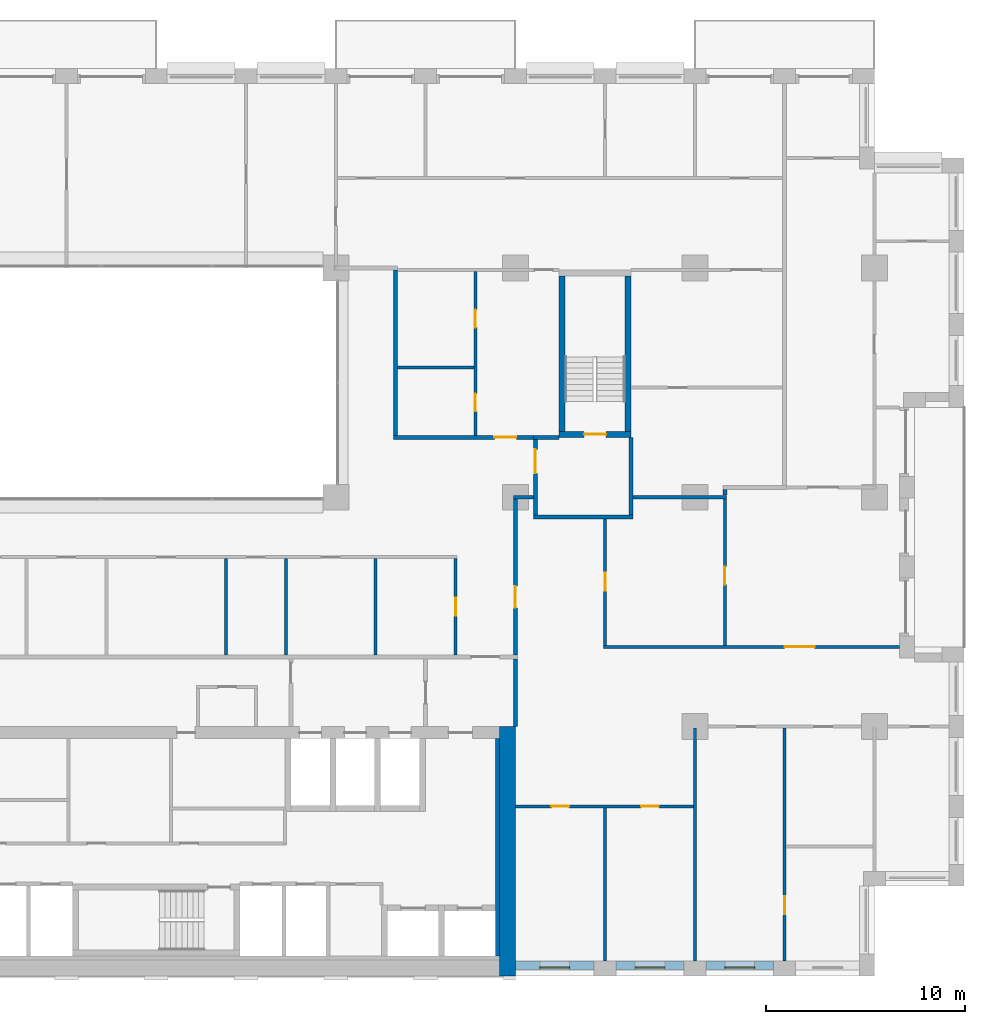
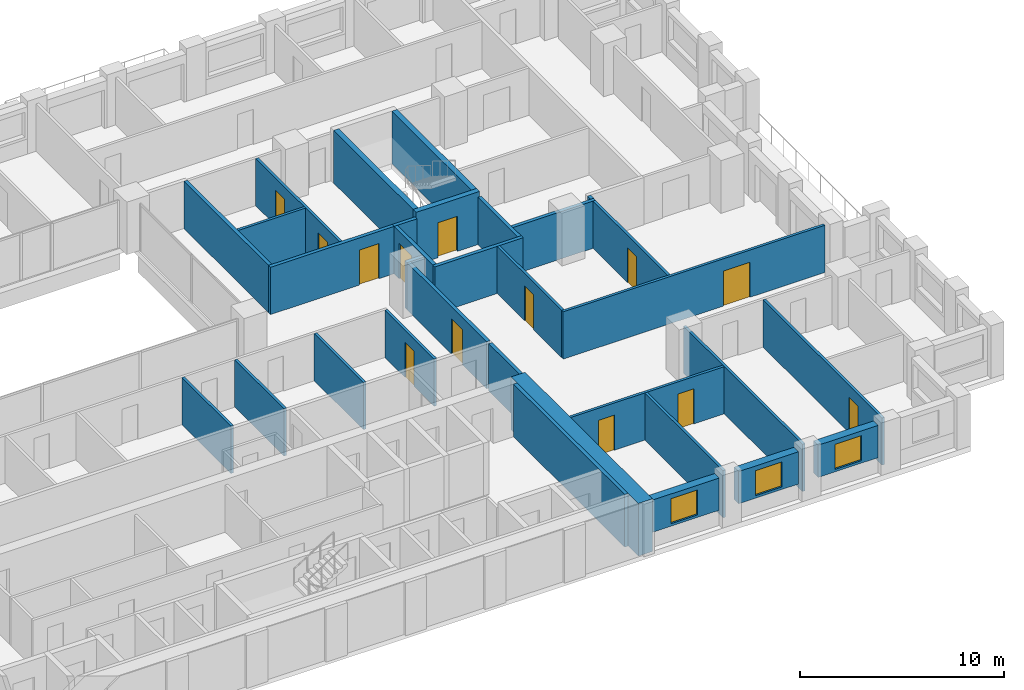
# One storey, part 11 of 16: 32 walls, 13 doors, 3 windows, 16 openings.
"""IFC4 building model written with IfcOpenShell, lengths in metres."""

from ifc_helpers import new_model, si_unit, direction, frame, frame_2d, origin, place, context, subcontext, project, spatial, rectangle, extrude, material, layer, layer_set, type_object, element, fill, save


model = new_model("IFC4")

# Units and contexts
model_context = context("Model", 3, precision=1e-05, world=origin(), true_north=direction((0.0, 1.0)))
body_context = subcontext(model_context, "Body", "Model", "MODEL_VIEW")
ifc_project = project(units=[si_unit("LENGTHUNIT", "METRE"), si_unit("AREAUNIT", "SQUARE_METRE"), si_unit("VOLUMEUNIT", "CUBIC_METRE"), si_unit("PLANEANGLEUNIT", "RADIAN"), si_unit("MASSUNIT", "GRAM", prefix="KILO")], contexts=[model_context])

# Site, building, storey
site_placement = place(None, origin())
site = spatial("IfcSite", under=ifc_project, at=site_placement, CompositionType="ELEMENT")
building_placement = place(site_placement, origin())
building = spatial("IfcBuilding", under=site, at=building_placement, Name="Brigalow Station Residences", CompositionType="ELEMENT")
storey_placement = place(building_placement, frame((0.0, 0.0, 93.0)))
storey = spatial("IfcBuildingStorey", under=building, at=storey_placement, Name="L26", CompositionType="ELEMENT", Elevation=93.0)

# Wall, opening, window
ifc_material_1 = material(Name="Clay brick masonry", Category="masonry")
ifc_layer_1 = layer(ifc_material_1, 0.449951171875)
ifc_layer_set_1 = layer_set([ifc_layer_1], Name="BRICK INFILL WALL 450")
wall_type_1 = type_object("IfcWallType", Name="BRICK INFILL WALL 450", PredefinedType="SOLIDWALL", material=ifc_layer_set_1)
wall_1_placement = place(storey_placement, frame((54.0, 0.52490234375, 0.89990234375), z_axis=(0.0, 0.0, 1.0), x_axis=(1.0, 0.0, 0.0)))
wall_1 = element("IfcWall", 1, at=wall_1_placement, inside=storey, type_object=wall_type_1, Name="L26/ewall/W-L26-4", PredefinedType="SOLIDWALL", context=body_context, shape_type="SweptSolid", body=[
    extrude(rectangle(XDim=3.949951171875, YDim=0.449951171875, at=frame_2d((1.97509765625, 0.0))), origin(), (0.0, 0.0, 1.0), 1.93017578125),
])
opening_1_placement = place(wall_1_placement, frame((1.22509765625, 0.0, 0.14990234375)))
opening_1 = element("IfcOpeningElement", 2, at=opening_1_placement, cuts=wall_1, Name="Opening WT-1", PredefinedType="OPENING", context=body_context, shape_type="SweptSolid", body=[
    extrude(rectangle(XDim=1.5, YDim=1.5, at=frame_2d((0.75, 0.75))), frame((0.0, 0.23486328125, 0.0), z_axis=(0.0, -1.0, 0.0), x_axis=(1.0, 0.0, 0.0)), (0.0, 0.0, 1.0), 0.469970703125),
])
ifc_material_2 = material(Name="Anodised aluminium frame with double glazing", Category="aluminium")
window_type = type_object("IfcWindowType", Name="WINDOW 1500x1500", PartitioningType="SINGLE_PANEL", PredefinedType="WINDOW", material=ifc_material_2)
window_1_placement = place(opening_1_placement, origin())
window_1 = element("IfcWindow", 3, at=window_1_placement, inside=storey, type_object=window_type, Name="L26/window/W-L26-4", OverallHeight=1.5, OverallWidth=1.5, PartitioningType="SINGLE_PANEL", PredefinedType="WINDOW", context=body_context, shape_type="SweptSolid", body=[
    extrude(rectangle(XDim=1.5, YDim=1.5, at=frame_2d((0.75, 0.75))), frame((0.0, -0.06494140625, 0.0), z_axis=(0.0, -1.0, 0.0), x_axis=(1.0, 0.0, 0.0)), (0.0, 0.0, 1.0), 0.06005859375),
])
fill(opening_1, window_1)

wall_2_placement = place(storey_placement, frame((59.050048828125, 0.52490234375, 0.89990234375), z_axis=(0.0, 0.0, 1.0), x_axis=(1.0, 0.0, 0.0)))
wall_2 = element("IfcWall", 4, at=wall_2_placement, inside=storey, type_object=wall_type_1, Name="L26/ewall/W-L26-5", PredefinedType="SOLIDWALL", context=body_context, shape_type="SweptSolid", body=[
    extrude(rectangle(XDim=3.39990234375, YDim=0.449951171875, at=frame_2d((1.699951171875, 0.0))), origin(), (0.0, 0.0, 1.0), 1.93017578125),
])
opening_2_placement = place(wall_2_placement, frame((0.949951171875, 0.0, 0.14990234375)))
opening_2 = element("IfcOpeningElement", 5, at=opening_2_placement, cuts=wall_2, Name="Opening WT-1", PredefinedType="OPENING", context=body_context, shape_type="SweptSolid", body=[
    extrude(rectangle(XDim=1.5, YDim=1.5, at=frame_2d((0.75, 0.75))), frame((0.0, 0.23486328125, 0.0), z_axis=(0.0, -1.0, 0.0), x_axis=(1.0, 0.0, 0.0)), (0.0, 0.0, 1.0), 0.469970703125),
])
window_2_placement = place(opening_2_placement, origin())
window_2 = element("IfcWindow", 6, at=window_2_placement, inside=storey, type_object=window_type, Name="L26/window/W-L26-5", OverallHeight=1.5, OverallWidth=1.5, PartitioningType="SINGLE_PANEL", PredefinedType="WINDOW", context=body_context, shape_type="SweptSolid", body=[
    extrude(rectangle(XDim=1.5, YDim=1.5, at=frame_2d((0.75, 0.75))), frame((0.0, -0.06494140625, 0.0), z_axis=(0.0, -1.0, 0.0), x_axis=(1.0, 0.0, 0.0)), (0.0, 0.0, 1.0), 0.06005859375),
])
fill(opening_2, window_2)

wall_3_placement = place(storey_placement, frame((63.550048828125, 0.52490234375, 0.89990234375), z_axis=(0.0, 0.0, 1.0), x_axis=(1.0, 0.0, 0.0)))
wall_3 = element("IfcWall", 7, at=wall_3_placement, inside=storey, type_object=wall_type_1, Name="L26/ewall/W-L26-6", PredefinedType="SOLIDWALL", context=body_context, shape_type="SweptSolid", body=[
    extrude(rectangle(XDim=3.39990234375, YDim=0.449951171875, at=frame_2d((1.699951171875, 0.0))), origin(), (0.0, 0.0, 1.0), 1.93017578125),
])
opening_3_placement = place(wall_3_placement, frame((0.949951171875, 0.0, 0.14990234375)))
opening_3 = element("IfcOpeningElement", 8, at=opening_3_placement, cuts=wall_3, Name="Opening WT-1", PredefinedType="OPENING", context=body_context, shape_type="SweptSolid", body=[
    extrude(rectangle(XDim=1.5, YDim=1.5, at=frame_2d((0.75, 0.75))), frame((0.0, 0.23486328125, 0.0), z_axis=(0.0, -1.0, 0.0), x_axis=(1.0, 0.0, 0.0)), (0.0, 0.0, 1.0), 0.469970703125),
])
window_3_placement = place(opening_3_placement, origin())
window_3 = element("IfcWindow", 9, at=window_3_placement, inside=storey, type_object=window_type, Name="L26/window/W-L26-6", OverallHeight=1.5, OverallWidth=1.5, PartitioningType="SINGLE_PANEL", PredefinedType="WINDOW", context=body_context, shape_type="SweptSolid", body=[
    extrude(rectangle(XDim=1.5, YDim=1.5, at=frame_2d((0.75, 0.75))), frame((0.0, -0.06494140625, 0.0), z_axis=(0.0, -1.0, 0.0), x_axis=(1.0, 0.0, 0.0)), (0.0, 0.0, 1.0), 0.06005859375),
])
fill(opening_3, window_3)

# Wall
ifc_material_3 = material(Name="Concrete C65", Category="concrete")
ifc_layer_2 = layer(ifc_material_3, 0.199951171875)
ifc_layer_set_2 = layer_set([ifc_layer_2], Name="CORE SHEAR WALL 200 C65")
wall_type_2 = type_object("IfcWallType", Name="CORE SHEAR WALL 200 C65", PredefinedType="SHEAR", material=ifc_layer_set_2)
wall_4_placement = place(storey_placement, frame((53.10009765625, 1.0, 0.0), z_axis=(0.0, 0.0, 1.0), x_axis=(0.0, 1.0, 0.0)))
element("IfcWall", 10, at=wall_4_placement, inside=storey, type_object=wall_type_2, Name="CORE WALL LIN-E L26", PredefinedType="SHEAR", context=body_context, shape_type="SweptSolid", body=[
    extrude(rectangle(XDim=10.89990234375, YDim=0.199951171875, at=frame_2d((5.449951171875, 0.0))), origin(), (0.0, 0.0, 1.0), 3.14990234375),
])

# Wall, opening, door
ifc_material_4 = material(Name="Concrete C65", Category="concrete")
ifc_layer_3 = layer(ifc_material_4, 0.300048828125)
ifc_layer_set_3 = layer_set([ifc_layer_3], Name="CORE SHEAR WALL 300 C65")
wall_type_3 = type_object("IfcWallType", Name="CORE SHEAR WALL 300 C65", PredefinedType="SHEAR", material=ifc_layer_set_3)
wall_5_placement = place(storey_placement, frame((56.199951171875, 27.14990234375, 0.0), z_axis=(0.0, 0.0, 1.0), x_axis=(1.0, 0.0, 0.0)))
wall_5 = element("IfcWall", 11, at=wall_5_placement, inside=storey, type_object=wall_type_3, Name="CORE WALL ST-S3-S L26", PredefinedType="SHEAR", context=body_context, shape_type="SweptSolid", body=[
    extrude(rectangle(XDim=3.60009765625, YDim=0.300048828125, at=frame_2d((1.800048828125, 0.0))), origin(), (0.0, 0.0, 1.0), 3.14990234375),
])
opening_4_placement = place(wall_5_placement, frame((1.25, 0.0, 0.0)))
opening_4 = element("IfcOpeningElement", 12, at=opening_4_placement, cuts=wall_5, Name="Opening D-5018", PredefinedType="OPENING", context=body_context, shape_type="SweptSolid", body=[
    extrude(rectangle(XDim=1.10009765625, YDim=2.10009765625, at=frame_2d((0.550048828125, 1.050048828125))), frame((0.0, 0.16015625, 0.0), z_axis=(0.0, -1.0, 0.0), x_axis=(1.0, 0.0, 0.0)), (0.0, 0.0, 1.0), 0.320068359375),
])
ifc_material_5 = material(Name="Steel fire door leaf in steel frame", Category="steel")
door_type_1 = type_object("IfcDoorType", Name="STAIR DOOR 1100 x 2100 FD60S", OperationType="SINGLE_SWING_LEFT", PredefinedType="DOOR", material=ifc_material_5)
door_1_placement = place(opening_4_placement, origin())
door_1 = element("IfcDoor", 13, at=door_1_placement, inside=storey, type_object=door_type_1, Name="D-5018", OperationType="SINGLE_SWING_LEFT", OverallHeight=2.10009765625, OverallWidth=1.10009765625, PredefinedType="DOOR", context=body_context, shape_type="SweptSolid", body=[
    extrude(rectangle(XDim=1.10009765625, YDim=2.10009765625, at=frame_2d((0.550048828125, 1.050048828125))), frame((0.0, 0.02490234375, 0.0), z_axis=(0.0, -1.0, 0.0), x_axis=(1.0, 0.0, 0.0)), (0.0, 0.0, 1.0), 0.050048828125),
])
fill(opening_4, door_1)

# Walls
for number, where, z_axis, x_axis, name in (
    (14, (56.35009765625, 27.300048828125, 0.0), (0.0, 0.0, 1.0), (0.0, 1.0, 0.0), "CORE WALL ST-S3-W L26"),
    (15, (59.64990234375, 27.300048828125, 0.0), (0.0, 0.0, 1.0), (0.0, 1.0, 0.0), "CORE WALL ST-S3-E L26"),
):
    element("IfcWall", number, at=place(storey_placement, frame(where, z_axis=z_axis, x_axis=x_axis)), inside=storey, type_object=wall_type_3, Name=name, PredefinedType="SHEAR", context=body_context, shape_type="SweptSolid", body=[
        extrude(rectangle(XDim=7.800048828125, YDim=0.300048828125, at=frame_2d((3.89990234375, 0.0))), origin(), (0.0, 0.0, 1.0), 3.14990234375),
    ])
ifc_material_6 = material(Name="Concrete C65", Category="concrete")
ifc_layer_4 = layer(ifc_material_6, 0.800048828125)
ifc_layer_set_4 = layer_set([ifc_layer_4], Name="CORE SHEAR WALL 800 C65")
wall_type_4 = type_object("IfcWallType", Name="CORE SHEAR WALL 800 C65", PredefinedType="SHEAR", material=ifc_layer_set_4)
wall_6_placement = place(storey_placement, frame((53.60009765625, 0.0, 0.0), z_axis=(0.0, 0.0, 1.0), x_axis=(0.0, 1.0, 0.0)))
element("IfcWall", 16, at=wall_6_placement, inside=storey, type_object=wall_type_4, Name="CORE WALL OUT-E L26", PredefinedType="SHEAR", context=body_context, shape_type="SweptSolid", body=[
    extrude(rectangle(XDim=12.5, YDim=0.800048828125, at=frame_2d((6.25, 0.0))), origin(), (0.0, 0.0, 1.0), 3.14990234375),
])
ifc_material_7 = material(Name="Concrete blockwork", Category="masonry")
ifc_layer_5 = layer(ifc_material_7, 0.199951171875)
ifc_layer_set_5 = layer_set([ifc_layer_5], Name="FIRE RATED CORE PARTITION 200")
wall_type_5 = type_object("IfcWallType", Name="FIRE RATED CORE PARTITION 200", PredefinedType="PARTITIONING", material=ifc_layer_set_5)
wall_7_placement = place(storey_placement, frame((54.89990234375, 23.0, 0.0), z_axis=(0.0, 0.0, 1.0), x_axis=(1.0, 0.0, 0.0)))
element("IfcWall", 17, at=wall_7_placement, inside=storey, type_object=wall_type_5, Name="PW-5024", PredefinedType="PARTITIONING", context=body_context, shape_type="SweptSolid", body=[
    extrude(rectangle(XDim=5.0, YDim=0.199951171875, at=frame_2d((2.5, 0.0))), origin(), (0.0, 0.0, 1.0), 2.830078125),
])
wall_8_placement = place(storey_placement, frame((54.89990234375, 27.0, 0.0), z_axis=(0.0, 0.0, 1.0), x_axis=(1.0, 0.0, 0.0)))
element("IfcWall", 18, at=wall_8_placement, inside=storey, type_object=wall_type_5, Name="PW-5026", PredefinedType="PARTITIONING", context=body_context, shape_type="SweptSolid", body=[
    extrude(rectangle(XDim=1.300048828125, YDim=0.199951171875, at=frame_2d((0.64990234375, 0.0))), origin(), (0.0, 0.0, 1.0), 2.830078125),
])
wall_9_placement = place(storey_placement, frame((54.0, 12.5, 0.0), z_axis=(0.0, 0.0, 1.0), x_axis=(0.0, 1.0, 0.0)))
element("IfcWall", 19, at=wall_9_placement, inside=storey, type_object=wall_type_5, Name="PW-5016", PredefinedType="PARTITIONING", context=body_context, shape_type="SweptSolid", body=[
    extrude(rectangle(XDim=3.39990234375, YDim=0.199951171875, at=frame_2d((1.699951171875, 0.0))), origin(), (0.0, 0.0, 1.0), 2.830078125),
])

# Wall, opening, door
wall_10_placement = place(storey_placement, frame((55.0, 23.10009765625, 0.0), z_axis=(0.0, 0.0, 1.0), x_axis=(0.0, 1.0, 0.0)))
wall_10 = element("IfcWall", 20, at=wall_10_placement, inside=storey, type_object=wall_type_5, Name="PW-5036", PredefinedType="PARTITIONING", context=body_context, shape_type="SweptSolid", body=[
    extrude(rectangle(XDim=3.7998046875, YDim=0.199951171875, at=frame_2d((1.89990234375, 0.0))), origin(), (0.0, 0.0, 1.0), 2.830078125),
])
opening_5_placement = place(wall_10_placement, frame((2.10009765625, 0.0, 0.0)))
opening_5 = element("IfcOpeningElement", 21, at=opening_5_placement, cuts=wall_10, Name="Opening D-5019", PredefinedType="OPENING", context=body_context, shape_type="SweptSolid", body=[
    extrude(rectangle(XDim=1.199951171875, YDim=2.10009765625, at=frame_2d((0.60009765625, 1.050048828125))), frame((0.0, 0.10986328125, 0.0), z_axis=(0.0, -1.0, 0.0), x_axis=(1.0, 0.0, 0.0)), (0.0, 0.0, 1.0), 0.219970703125),
])
ifc_material_8 = material(Name="Steel fire door leaf in steel frame", Category="steel")
door_type_2 = type_object("IfcDoorType", Name="STAIR LOBBY DOOR 1200 x 2100 FD60S", OperationType="SINGLE_SWING_LEFT", PredefinedType="DOOR", material=ifc_material_8)
door_2_placement = place(opening_5_placement, frame((1.199951171875, 0.0, 0.0), z_axis=(0.0, 0.0, 1.0), x_axis=(-1.0, 0.0, 0.0)))
door_2 = element("IfcDoor", 22, at=door_2_placement, inside=storey, type_object=door_type_2, Name="D-5019", OperationType="SINGLE_SWING_LEFT", OverallHeight=2.10009765625, OverallWidth=1.199951171875, PredefinedType="DOOR", context=body_context, shape_type="SweptSolid", body=[
    extrude(rectangle(XDim=1.199951171875, YDim=2.10009765625, at=frame_2d((0.60009765625, 1.050048828125))), frame((0.0, 0.02490234375, 0.0), z_axis=(0.0, -1.0, 0.0), x_axis=(1.0, 0.0, 0.0)), (0.0, 0.0, 1.0), 0.050048828125),
])
fill(opening_5, door_2)

# Wall
wall_11_placement = place(storey_placement, frame((59.800048828125, 23.10009765625, 0.0), z_axis=(0.0, 0.0, 1.0), x_axis=(0.0, 1.0, 0.0)))
element("IfcWall", 23, at=wall_11_placement, inside=storey, type_object=wall_type_5, Name="PW-5037", PredefinedType="PARTITIONING", context=body_context, shape_type="SweptSolid", body=[
    extrude(rectangle(XDim=3.89990234375, YDim=0.199951171875, at=frame_2d((1.949951171875, 0.0))), origin(), (0.0, 0.0, 1.0), 2.830078125),
])

# Wall, openings, doors
ifc_material_9 = material(Name="Plasterboard on steel stud partition", Category="steel")
ifc_layer_6 = layer(ifc_material_9, 0.14990234375)
ifc_layer_set_6 = layer_set([ifc_layer_6], Name="FLAT PARTITION 150")
wall_type_6 = type_object("IfcWallType", Name="FLAT PARTITION 150", PredefinedType="PARTITIONING", material=ifc_layer_set_6)
wall_12_placement = place(storey_placement, frame((54.0, 8.5, 0.0), z_axis=(0.0, 0.0, 1.0), x_axis=(1.0, 0.0, 0.0)))
wall_12 = element("IfcWall", 24, at=wall_12_placement, inside=storey, type_object=wall_type_6, Name="PW-2B12", PredefinedType="PARTITIONING", context=body_context, shape_type="SweptSolid", body=[
    extrude(rectangle(XDim=8.925048828125, YDim=0.14990234375, at=frame_2d((4.46240234375, 0.0))), origin(), (0.0, 0.0, 1.0), 2.830078125),
])
opening_6_placement = place(wall_12_placement, frame((1.800048828125, 0.0, 0.0)))
opening_6 = element("IfcOpeningElement", 25, at=opening_6_placement, cuts=wall_12, Name="Opening D-2B34", PredefinedType="OPENING", context=body_context, shape_type="SweptSolid", body=[
    extrude(rectangle(XDim=0.89990234375, YDim=2.10009765625, at=frame_2d((0.449951171875, 1.050048828125))), frame((0.0, 0.0849609375, 0.0), z_axis=(0.0, -1.0, 0.0), x_axis=(1.0, 0.0, 0.0)), (0.0, 0.0, 1.0), 0.169921875),
])
opening_7_placement = place(wall_12_placement, frame((6.300048828125, 0.0, 0.0)))
opening_7 = element("IfcOpeningElement", 26, at=opening_7_placement, cuts=wall_12, Name="Opening D-2B36", PredefinedType="OPENING", context=body_context, shape_type="SweptSolid", body=[
    extrude(rectangle(XDim=0.89990234375, YDim=2.10009765625, at=frame_2d((0.449951171875, 1.050048828125))), frame((0.0, 0.0849609375, 0.0), z_axis=(0.0, -1.0, 0.0), x_axis=(1.0, 0.0, 0.0)), (0.0, 0.0, 1.0), 0.169921875),
])
ifc_material_10 = material(Name="Solid-core timber door leaf", Category="wood")
door_type_3 = type_object("IfcDoorType", Name="INTERNAL DOOR 900 x 2100", OperationType="SINGLE_SWING_LEFT", PredefinedType="DOOR", material=ifc_material_10)
door_3_placement = place(opening_6_placement, frame((0.89990234375, 0.0, 0.0), z_axis=(0.0, 0.0, 1.0), x_axis=(-1.0, 0.0, 0.0)))
door_3 = element("IfcDoor", 27, at=door_3_placement, inside=storey, type_object=door_type_3, Name="D-2B34", OperationType="SINGLE_SWING_LEFT", OverallHeight=2.10009765625, OverallWidth=0.89990234375, PredefinedType="DOOR", context=body_context, shape_type="SweptSolid", body=[
    extrude(rectangle(XDim=0.89990234375, YDim=2.10009765625, at=frame_2d((0.449951171875, 1.050048828125))), frame((0.0, 0.02490234375, 0.0), z_axis=(0.0, -1.0, 0.0), x_axis=(1.0, 0.0, 0.0)), (0.0, 0.0, 1.0), 0.050048828125),
])
fill(opening_6, door_3)
door_4_placement = place(opening_7_placement, frame((0.89990234375, 0.0, 0.0), z_axis=(0.0, 0.0, 1.0), x_axis=(-1.0, 0.0, 0.0)))
door_4 = element("IfcDoor", 28, at=door_4_placement, inside=storey, type_object=door_type_3, Name="D-2B36", OperationType="SINGLE_SWING_RIGHT", OverallHeight=2.10009765625, OverallWidth=0.89990234375, PredefinedType="DOOR", context=body_context, shape_type="SweptSolid", body=[
    extrude(rectangle(XDim=0.89990234375, YDim=2.10009765625, at=frame_2d((0.449951171875, 1.050048828125))), frame((0.0, 0.02490234375, 0.0), z_axis=(0.0, -1.0, 0.0), x_axis=(1.0, 0.0, 0.0)), (0.0, 0.0, 1.0), 0.050048828125),
])
fill(opening_7, door_4)

# Wall, opening, door
wall_13_placement = place(storey_placement, frame((58.425048828125, 16.5, 0.0), z_axis=(0.0, 0.0, 1.0), x_axis=(1.0, 0.0, 0.0)))
wall_13 = element("IfcWall", 29, at=wall_13_placement, inside=storey, type_object=wall_type_6, Name="PW-2B15", PredefinedType="PARTITIONING", context=body_context, shape_type="SweptSolid", body=[
    extrude(rectangle(XDim=14.824951171875, YDim=0.14990234375, at=frame_2d((7.41259765625, 0.0))), origin(), (0.0, 0.0, 1.0), 2.830078125),
])
opening_8_placement = place(wall_13_placement, frame((9.074951171875, 0.0, 0.0)))
opening_8 = element("IfcOpeningElement", 30, at=opening_8_placement, cuts=wall_13, Name="Opening D-2B42", PredefinedType="OPENING", context=body_context, shape_type="SweptSolid", body=[
    extrude(rectangle(XDim=1.5, YDim=2.10009765625, at=frame_2d((0.75, 1.050048828125))), frame((0.0, 0.0849609375, 0.0), z_axis=(0.0, -1.0, 0.0), x_axis=(1.0, 0.0, 0.0)), (0.0, 0.0, 1.0), 0.169921875),
])
ifc_material_11 = material(Name="Solid-core timber door leaf", Category="wood")
door_type_4 = type_object("IfcDoorType", Name="INTERNAL DOUBLE DOOR 1500 x 2100", OperationType="DOUBLE_DOOR_SINGLE_SWING", PredefinedType="DOOR", material=ifc_material_11)
door_5_placement = place(opening_8_placement, origin())
door_5 = element("IfcDoor", 31, at=door_5_placement, inside=storey, type_object=door_type_4, Name="D-2B42", OperationType="DOUBLE_DOOR_SINGLE_SWING", OverallHeight=2.10009765625, OverallWidth=1.5, PredefinedType="DOOR", context=body_context, shape_type="SweptSolid", body=[
    extrude(rectangle(XDim=1.5, YDim=2.10009765625, at=frame_2d((0.75, 1.050048828125))), frame((0.0, 0.02490234375, 0.0), z_axis=(0.0, -1.0, 0.0), x_axis=(1.0, 0.0, 0.0)), (0.0, 0.0, 1.0), 0.050048828125),
])
fill(opening_8, door_5)

# Wall
wall_14_placement = place(storey_placement, frame((48.10009765625, 30.5, 0.0), z_axis=(0.0, 0.0, 1.0), x_axis=(1.0, 0.0, 0.0)))
element("IfcWall", 32, at=wall_14_placement, inside=storey, type_object=wall_type_6, Name="PW-2B33", PredefinedType="PARTITIONING", context=body_context, shape_type="SweptSolid", body=[
    extrude(rectangle(XDim=3.824951171875, YDim=0.14990234375, at=frame_2d((1.91259765625, 0.0))), origin(), (0.0, 0.0, 1.0), 2.830078125),
])

# Wall, opening, door
wall_15_placement = place(storey_placement, frame((51.0, 16.10009765625, 0.0), z_axis=(0.0, 0.0, 1.0), x_axis=(0.0, 1.0, 0.0)))
wall_15 = element("IfcWall", 33, at=wall_15_placement, inside=storey, type_object=wall_type_6, Name="PW-2B42", PredefinedType="PARTITIONING", context=body_context, shape_type="SweptSolid", body=[
    extrude(rectangle(XDim=4.824951171875, YDim=0.14990234375, at=frame_2d((2.41259765625, 0.0))), origin(), (0.0, 0.0, 1.0), 2.830078125),
])
opening_9_placement = place(wall_15_placement, frame((1.949951171875, 0.0, 0.0)))
opening_9 = element("IfcOpeningElement", 34, at=opening_9_placement, cuts=wall_15, Name="Opening D-2B53", PredefinedType="OPENING", context=body_context, shape_type="SweptSolid", body=[
    extrude(rectangle(XDim=0.89990234375, YDim=2.10009765625, at=frame_2d((0.449951171875, 1.050048828125))), frame((0.0, 0.0849609375, 0.0), z_axis=(0.0, -1.0, 0.0), x_axis=(1.0, 0.0, 0.0)), (0.0, 0.0, 1.0), 0.169921875),
])
door_6_placement = place(opening_9_placement, origin())
door_6 = element("IfcDoor", 35, at=door_6_placement, inside=storey, type_object=door_type_3, Name="D-2B53", OperationType="SINGLE_SWING_LEFT", OverallHeight=2.10009765625, OverallWidth=0.89990234375, PredefinedType="DOOR", context=body_context, shape_type="SweptSolid", body=[
    extrude(rectangle(XDim=0.89990234375, YDim=2.10009765625, at=frame_2d((0.449951171875, 1.050048828125))), frame((0.0, 0.02490234375, 0.0), z_axis=(0.0, -1.0, 0.0), x_axis=(1.0, 0.0, 0.0)), (0.0, 0.0, 1.0), 0.050048828125),
])
fill(opening_9, door_6)

# Wall, openings, doors
wall_16_placement = place(storey_placement, frame((52.0, 27.10009765625, 0.0), z_axis=(0.0, 0.0, 1.0), x_axis=(0.0, 1.0, 0.0)))
wall_16 = element("IfcWall", 36, at=wall_16_placement, inside=storey, type_object=wall_type_6, Name="PW-2B53", PredefinedType="PARTITIONING", context=body_context, shape_type="SweptSolid", body=[
    extrude(rectangle(XDim=8.224853515625, YDim=0.14990234375, at=frame_2d((4.1123046875, 0.0))), origin(), (0.0, 0.0, 1.0), 2.830078125),
])
opening_10_placement = place(wall_16_placement, frame((1.199951171875, 0.0, 0.0)))
opening_10 = element("IfcOpeningElement", 37, at=opening_10_placement, cuts=wall_16, Name="Opening D-2B21", PredefinedType="OPENING", context=body_context, shape_type="SweptSolid", body=[
    extrude(rectangle(XDim=0.89990234375, YDim=2.10009765625, at=frame_2d((0.449951171875, 1.050048828125))), frame((0.0, 0.0849609375, 0.0), z_axis=(0.0, -1.0, 0.0), x_axis=(1.0, 0.0, 0.0)), (0.0, 0.0, 1.0), 0.169921875),
])
opening_11_placement = place(wall_16_placement, frame((5.39990234375, 0.0, 0.0)))
opening_11 = element("IfcOpeningElement", 38, at=opening_11_placement, cuts=wall_16, Name="Opening D-2B22", PredefinedType="OPENING", context=body_context, shape_type="SweptSolid", body=[
    extrude(rectangle(XDim=0.89990234375, YDim=2.10009765625, at=frame_2d((0.449951171875, 1.050048828125))), frame((0.0, 0.0849609375, 0.0), z_axis=(0.0, -1.0, 0.0), x_axis=(1.0, 0.0, 0.0)), (0.0, 0.0, 1.0), 0.169921875),
])
door_7_placement = place(opening_10_placement, origin())
door_7 = element("IfcDoor", 39, at=door_7_placement, inside=storey, type_object=door_type_3, Name="D-2B21", OperationType="SINGLE_SWING_LEFT", OverallHeight=2.10009765625, OverallWidth=0.89990234375, PredefinedType="DOOR", context=body_context, shape_type="SweptSolid", body=[
    extrude(rectangle(XDim=0.89990234375, YDim=2.10009765625, at=frame_2d((0.449951171875, 1.050048828125))), frame((0.0, 0.02490234375, 0.0), z_axis=(0.0, -1.0, 0.0), x_axis=(1.0, 0.0, 0.0)), (0.0, 0.0, 1.0), 0.050048828125),
])
fill(opening_10, door_7)
door_8_placement = place(opening_11_placement, origin())
door_8 = element("IfcDoor", 40, at=door_8_placement, inside=storey, type_object=door_type_3, Name="D-2B22", OperationType="SINGLE_SWING_RIGHT", OverallHeight=2.10009765625, OverallWidth=0.89990234375, PredefinedType="DOOR", context=body_context, shape_type="SweptSolid", body=[
    extrude(rectangle(XDim=0.89990234375, YDim=2.10009765625, at=frame_2d((0.449951171875, 1.050048828125))), frame((0.0, 0.02490234375, 0.0), z_axis=(0.0, -1.0, 0.0), x_axis=(1.0, 0.0, 0.0)), (0.0, 0.0, 1.0), 0.050048828125),
])
fill(opening_11, door_8)

# Wall, opening, door
wall_17_placement = place(storey_placement, frame((67.5, 0.75, 0.0), z_axis=(0.0, 0.0, 1.0), x_axis=(0.0, 1.0, 0.0)))
wall_17 = element("IfcWall", 41, at=wall_17_placement, inside=storey, type_object=wall_type_6, Name="PW-2B57", PredefinedType="PARTITIONING", context=body_context, shape_type="SweptSolid", body=[
    extrude(rectangle(XDim=11.675048828125, YDim=0.14990234375, at=frame_2d((5.83740234375, 0.0))), origin(), (0.0, 0.0, 1.0), 2.830078125),
])
opening_12_placement = place(wall_17_placement, frame((2.35009765625, 0.0, 0.0)))
opening_12 = element("IfcOpeningElement", 42, at=opening_12_placement, cuts=wall_17, Name="Opening D-2B38", PredefinedType="OPENING", context=body_context, shape_type="SweptSolid", body=[
    extrude(rectangle(XDim=0.89990234375, YDim=2.10009765625, at=frame_2d((0.449951171875, 1.050048828125))), frame((0.0, 0.0849609375, 0.0), z_axis=(0.0, -1.0, 0.0), x_axis=(1.0, 0.0, 0.0)), (0.0, 0.0, 1.0), 0.169921875),
])
door_9_placement = place(opening_12_placement, frame((0.89990234375, 0.0, 0.0), z_axis=(0.0, 0.0, 1.0), x_axis=(-1.0, 0.0, 0.0)))
door_9 = element("IfcDoor", 43, at=door_9_placement, inside=storey, type_object=door_type_3, Name="D-2B38", OperationType="SINGLE_SWING_RIGHT", OverallHeight=2.10009765625, OverallWidth=0.89990234375, PredefinedType="DOOR", context=body_context, shape_type="SweptSolid", body=[
    extrude(rectangle(XDim=0.89990234375, YDim=2.10009765625, at=frame_2d((0.449951171875, 1.050048828125))), frame((0.0, 0.02490234375, 0.0), z_axis=(0.0, -1.0, 0.0), x_axis=(1.0, 0.0, 0.0)), (0.0, 0.0, 1.0), 0.050048828125),
])
fill(opening_12, door_9)

# Wall
wall_18_placement = place(storey_placement, frame((58.5, 0.75, 0.0), z_axis=(0.0, 0.0, 1.0), x_axis=(0.0, 1.0, 0.0)))
element("IfcWall", 44, at=wall_18_placement, inside=storey, type_object=wall_type_6, Name="PW-2B60", PredefinedType="PARTITIONING", context=body_context, shape_type="SweptSolid", body=[
    extrude(rectangle(XDim=7.675048828125, YDim=0.14990234375, at=frame_2d((3.83740234375, 0.0))), origin(), (0.0, 0.0, 1.0), 2.830078125),
])

# Wall, opening, door
wall_19_placement = place(storey_placement, frame((58.5, 16.574951171875, 0.0), z_axis=(0.0, 0.0, 1.0), x_axis=(0.0, 1.0, 0.0)))
wall_19 = element("IfcWall", 45, at=wall_19_placement, inside=storey, type_object=wall_type_6, Name="PW-2B61", PredefinedType="PARTITIONING", context=body_context, shape_type="SweptSolid", body=[
    extrude(rectangle(XDim=6.324951171875, YDim=0.14990234375, at=frame_2d((3.16259765625, 0.0))), origin(), (0.0, 0.0, 1.0), 2.830078125),
])
opening_13_placement = place(wall_19_placement, frame((2.75, 0.0, 0.0)))
opening_13 = element("IfcOpeningElement", 46, at=opening_13_placement, cuts=wall_19, Name="Opening D-2B40", PredefinedType="OPENING", context=body_context, shape_type="SweptSolid", body=[
    extrude(rectangle(XDim=0.89990234375, YDim=2.10009765625, at=frame_2d((0.449951171875, 1.050048828125))), frame((0.0, 0.0849609375, 0.0), z_axis=(0.0, -1.0, 0.0), x_axis=(1.0, 0.0, 0.0)), (0.0, 0.0, 1.0), 0.169921875),
])
door_10_placement = place(opening_13_placement, frame((0.89990234375, 0.0, 0.0), z_axis=(0.0, 0.0, 1.0), x_axis=(-1.0, 0.0, 0.0)))
door_10 = element("IfcDoor", 47, at=door_10_placement, inside=storey, type_object=door_type_3, Name="D-2B40", OperationType="SINGLE_SWING_LEFT", OverallHeight=2.10009765625, OverallWidth=0.89990234375, PredefinedType="DOOR", context=body_context, shape_type="SweptSolid", body=[
    extrude(rectangle(XDim=0.89990234375, YDim=2.10009765625, at=frame_2d((0.449951171875, 1.050048828125))), frame((0.0, 0.02490234375, 0.0), z_axis=(0.0, -1.0, 0.0), x_axis=(1.0, 0.0, 0.0)), (0.0, 0.0, 1.0), 0.050048828125),
])
fill(opening_13, door_10)

# Wall
wall_20_placement = place(storey_placement, frame((63.0, 0.75, 0.0), z_axis=(0.0, 0.0, 1.0), x_axis=(0.0, 1.0, 0.0)))
element("IfcWall", 48, at=wall_20_placement, inside=storey, type_object=wall_type_6, Name="PW-2B63", PredefinedType="PARTITIONING", context=body_context, shape_type="SweptSolid", body=[
    extrude(rectangle(XDim=11.675048828125, YDim=0.14990234375, at=frame_2d((5.83740234375, 0.0))), origin(), (0.0, 0.0, 1.0), 2.830078125),
])

# Wall, opening, door
wall_21_placement = place(storey_placement, frame((64.5, 16.574951171875, 0.0), z_axis=(0.0, 0.0, 1.0), x_axis=(0.0, 1.0, 0.0)))
wall_21 = element("IfcWall", 49, at=wall_21_placement, inside=storey, type_object=wall_type_6, Name="PW-2B65", PredefinedType="PARTITIONING", context=body_context, shape_type="SweptSolid", body=[
    extrude(rectangle(XDim=7.324951171875, YDim=0.14990234375, at=frame_2d((3.66259765625, 0.0))), origin(), (0.0, 0.0, 1.0), 2.830078125),
])
opening_14_placement = place(wall_21_placement, frame((3.050048828125, 0.0, 0.0)))
opening_14 = element("IfcOpeningElement", 50, at=opening_14_placement, cuts=wall_21, Name="Opening D-2B41", PredefinedType="OPENING", context=body_context, shape_type="SweptSolid", body=[
    extrude(rectangle(XDim=0.89990234375, YDim=2.10009765625, at=frame_2d((0.449951171875, 1.050048828125))), frame((0.0, 0.0849609375, 0.0), z_axis=(0.0, -1.0, 0.0), x_axis=(1.0, 0.0, 0.0)), (0.0, 0.0, 1.0), 0.169921875),
])
door_11_placement = place(opening_14_placement, origin())
door_11 = element("IfcDoor", 51, at=door_11_placement, inside=storey, type_object=door_type_3, Name="D-2B41", OperationType="SINGLE_SWING_LEFT", OverallHeight=2.10009765625, OverallWidth=0.89990234375, PredefinedType="DOOR", context=body_context, shape_type="SweptSolid", body=[
    extrude(rectangle(XDim=0.89990234375, YDim=2.10009765625, at=frame_2d((0.449951171875, 1.050048828125))), frame((0.0, 0.02490234375, 0.0), z_axis=(0.0, -1.0, 0.0), x_axis=(1.0, 0.0, 0.0)), (0.0, 0.0, 1.0), 0.050048828125),
])
fill(opening_14, door_11)

# Walls
for number, where, z_axis, x_axis, name in (
    (52, (39.5, 16.10009765625, 0.0), (0.0, 0.0, 1.0), (0.0, 1.0, 0.0), "PW-2B72"),
    (53, (42.5, 16.10009765625, 0.0), (0.0, 0.0, 1.0), (0.0, 1.0, 0.0), "PW-2B73"),
    (54, (47.0, 16.10009765625, 0.0), (0.0, 0.0, 1.0), (0.0, 1.0, 0.0), "PW-2B74"),
):
    element("IfcWall", number, at=place(storey_placement, frame(where, z_axis=z_axis, x_axis=x_axis)), inside=storey, type_object=wall_type_6, Name=name, PredefinedType="PARTITIONING", context=body_context, shape_type="SweptSolid", body=[
        extrude(rectangle(XDim=4.824951171875, YDim=0.14990234375, at=frame_2d((2.41259765625, 0.0))), origin(), (0.0, 0.0, 1.0), 2.830078125),
    ])
ifc_material_12 = material(Name="Plasterboard on steel stud partition", Category="steel")
ifc_layer_7 = layer(ifc_material_12, 0.199951171875)
ifc_layer_set_7 = layer_set([ifc_layer_7], Name="PARTY AND CORRIDOR WALL 200")
wall_type_7 = type_object("IfcWallType", Name="PARTY AND CORRIDOR WALL 200", PredefinedType="PARTITIONING", material=ifc_layer_set_7)
wall_22_placement = place(storey_placement, frame((53.89990234375, 24.0, 0.0), z_axis=(0.0, 0.0, 1.0), x_axis=(1.0, 0.0, 0.0)))
element("IfcWall", 55, at=wall_22_placement, inside=storey, type_object=wall_type_7, Name="PW-2B03", PredefinedType="PARTITIONING", context=body_context, shape_type="SweptSolid", body=[
    extrude(rectangle(XDim=1.0, YDim=0.199951171875, at=frame_2d((0.5, 0.0))), origin(), (0.0, 0.0, 1.0), 2.830078125),
])
wall_23_placement = place(storey_placement, frame((59.89990234375, 24.0, 0.0), z_axis=(0.0, 0.0, 1.0), x_axis=(1.0, 0.0, 0.0)))
element("IfcWall", 56, at=wall_23_placement, inside=storey, type_object=wall_type_7, Name="PW-2B04", PredefinedType="PARTITIONING", context=body_context, shape_type="SweptSolid", body=[
    extrude(rectangle(XDim=4.675048828125, YDim=0.199951171875, at=frame_2d((2.33740234375, 0.0))), origin(), (0.0, 0.0, 1.0), 2.830078125),
])

# Wall, opening, door
wall_24_placement = place(storey_placement, frame((47.89990234375, 27.0, 0.0), z_axis=(0.0, 0.0, 1.0), x_axis=(1.0, 0.0, 0.0)))
wall_24 = element("IfcWall", 57, at=wall_24_placement, inside=storey, type_object=wall_type_7, Name="PW-2B06", PredefinedType="PARTITIONING", context=body_context, shape_type="SweptSolid", body=[
    extrude(rectangle(XDim=7.0, YDim=0.199951171875, at=frame_2d((3.5, 0.0))), origin(), (0.0, 0.0, 1.0), 2.830078125),
])
opening_15_placement = place(wall_24_placement, frame((5.050048828125, 0.0, 0.0)))
opening_15 = element("IfcOpeningElement", 58, at=opening_15_placement, cuts=wall_24, Name="Opening D-2B20", PredefinedType="OPENING", context=body_context, shape_type="SweptSolid", body=[
    extrude(rectangle(XDim=1.10009765625, YDim=2.10009765625, at=frame_2d((0.550048828125, 1.050048828125))), frame((0.0, 0.10986328125, 0.0), z_axis=(0.0, -1.0, 0.0), x_axis=(1.0, 0.0, 0.0)), (0.0, 0.0, 1.0), 0.219970703125),
])
ifc_material_13 = material(Name="Solid-core timber door leaf", Category="wood")
door_type_5 = type_object("IfcDoorType", Name="FLAT ENTRANCE DOOR 1100 x 2100 FRL -/60/30", OperationType="SINGLE_SWING_LEFT", PredefinedType="DOOR", material=ifc_material_13)
door_12_placement = place(opening_15_placement, origin())
door_12 = element("IfcDoor", 59, at=door_12_placement, inside=storey, type_object=door_type_5, Name="D-2B20", OperationType="SINGLE_SWING_LEFT", OverallHeight=2.10009765625, OverallWidth=1.10009765625, PredefinedType="DOOR", context=body_context, shape_type="SweptSolid", body=[
    extrude(rectangle(XDim=1.10009765625, YDim=2.10009765625, at=frame_2d((0.550048828125, 1.050048828125))), frame((0.0, 0.02490234375, 0.0), z_axis=(0.0, -1.0, 0.0), x_axis=(1.0, 0.0, 0.0)), (0.0, 0.0, 1.0), 0.050048828125),
])
fill(opening_15, door_12)

wall_25_placement = place(storey_placement, frame((54.0, 16.10009765625, 0.0), z_axis=(0.0, 0.0, 1.0), x_axis=(0.0, 1.0, 0.0)))
wall_25 = element("IfcWall", 60, at=wall_25_placement, inside=storey, type_object=wall_type_7, Name="PW-2B40", PredefinedType="PARTITIONING", context=body_context, shape_type="SweptSolid", body=[
    extrude(rectangle(XDim=7.7998046875, YDim=0.199951171875, at=frame_2d((3.89990234375, 0.0))), origin(), (0.0, 0.0, 1.0), 2.830078125),
])
opening_16_placement = place(wall_25_placement, frame((2.35009765625, 0.0, 0.0)))
opening_16 = element("IfcOpeningElement", 61, at=opening_16_placement, cuts=wall_25, Name="Opening D-2B33", PredefinedType="OPENING", context=body_context, shape_type="SweptSolid", body=[
    extrude(rectangle(XDim=1.10009765625, YDim=2.10009765625, at=frame_2d((0.550048828125, 1.050048828125))), frame((0.0, 0.10986328125, 0.0), z_axis=(0.0, -1.0, 0.0), x_axis=(1.0, 0.0, 0.0)), (0.0, 0.0, 1.0), 0.219970703125),
])
door_13_placement = place(opening_16_placement, frame((1.10009765625, 0.0, 0.0), z_axis=(0.0, 0.0, 1.0), x_axis=(-1.0, 0.0, 0.0)))
door_13 = element("IfcDoor", 62, at=door_13_placement, inside=storey, type_object=door_type_5, Name="D-2B33", OperationType="SINGLE_SWING_LEFT", OverallHeight=2.10009765625, OverallWidth=1.10009765625, PredefinedType="DOOR", context=body_context, shape_type="SweptSolid", body=[
    extrude(rectangle(XDim=1.10009765625, YDim=2.10009765625, at=frame_2d((0.550048828125, 1.050048828125))), frame((0.0, 0.02490234375, 0.0), z_axis=(0.0, -1.0, 0.0), x_axis=(1.0, 0.0, 0.0)), (0.0, 0.0, 1.0), 0.050048828125),
])
fill(opening_16, door_13)

# Walls
wall_26_placement = place(storey_placement, frame((48.0, 27.10009765625, 0.0), z_axis=(0.0, 0.0, 1.0), x_axis=(0.0, 1.0, 0.0)))
element("IfcWall", 63, at=wall_26_placement, inside=storey, type_object=wall_type_7, Name="PW-2B44", PredefinedType="PARTITIONING", context=body_context, shape_type="SweptSolid", body=[
    extrude(rectangle(XDim=8.2998046875, YDim=0.199951171875, at=frame_2d((4.14990234375, 0.0))), origin(), (0.0, 0.0, 1.0), 2.830078125),
])
wall_27_placement = place(storey_placement, frame((64.5, 24.10009765625, 0.0), z_axis=(0.0, 0.0, 1.0), x_axis=(0.0, 1.0, 0.0)))
element("IfcWall", 64, at=wall_27_placement, inside=storey, type_object=wall_type_7, Name="PW-2B66", PredefinedType="PARTITIONING", context=body_context, shape_type="SweptSolid", body=[
    extrude(rectangle(XDim=0.2998046875, YDim=0.199951171875, at=frame_2d((0.14990234375, 0.0))), origin(), (0.0, 0.0, 1.0), 2.830078125),
])

save(model, "model.ifc")
